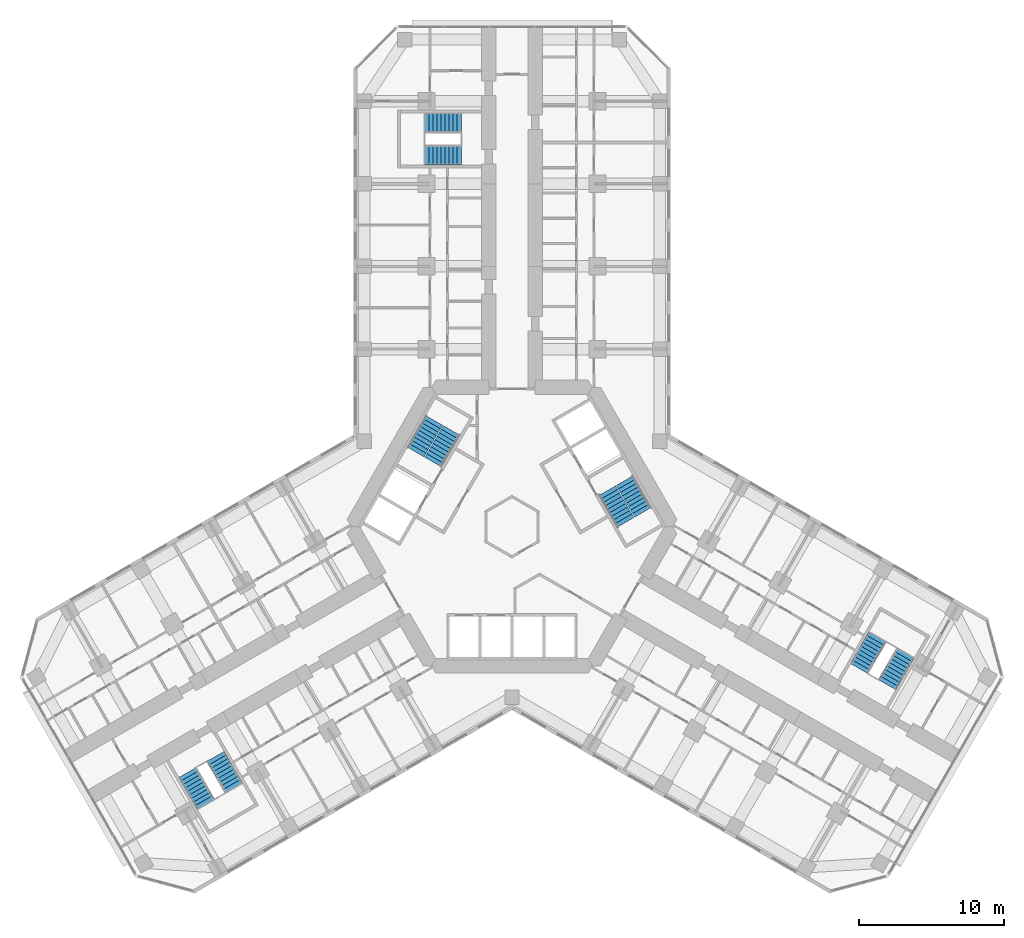
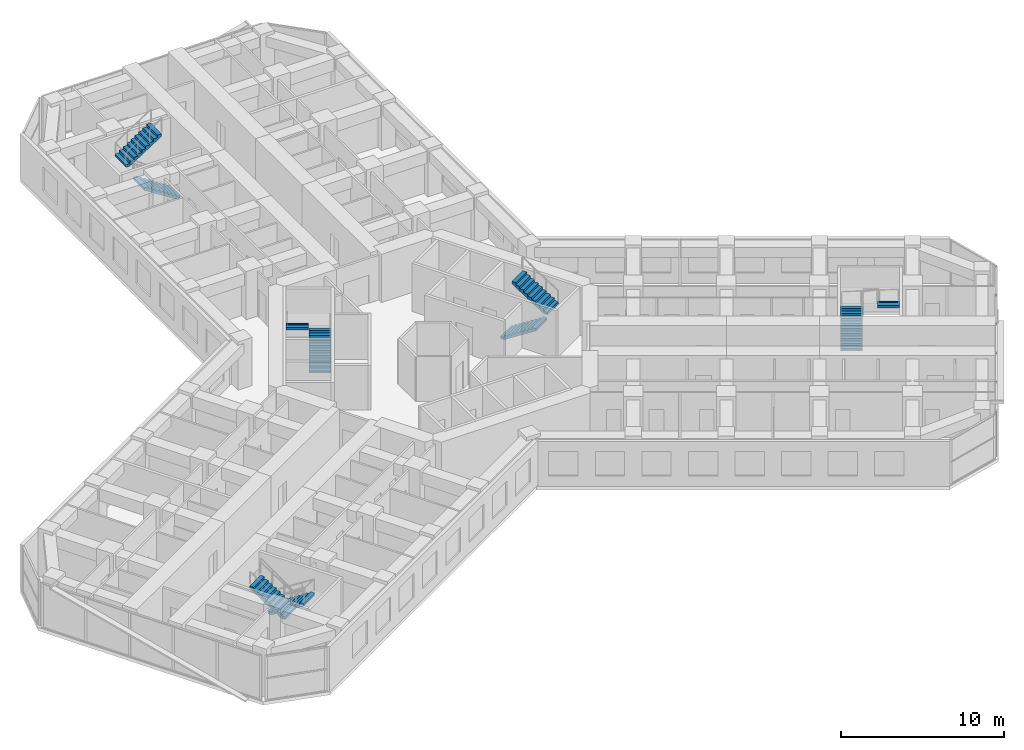
# One storey, part 20 of 21: 10 stair flights, 5 elements without a shape of their own.
"""IFC4 building model written with IfcOpenShell, lengths in metres."""

from ifc_helpers import new_model, si_unit, direction, frame, origin, place, context, subcontext, project, spatial, polyline, outline, extrude, material, type_object, element, aggregate, save


model = new_model("IFC4")

# Units and contexts
model_context = context("Model", 3, precision=1e-05, world=origin(), true_north=direction((0.0, 1.0)))
body_context = subcontext(model_context, "Body", "Model", "MODEL_VIEW")
ifc_project = project(units=[si_unit("LENGTHUNIT", "METRE"), si_unit("AREAUNIT", "SQUARE_METRE"), si_unit("VOLUMEUNIT", "CUBIC_METRE"), si_unit("PLANEANGLEUNIT", "RADIAN"), si_unit("MASSUNIT", "GRAM", prefix="KILO")], contexts=[model_context])

# Site, building, storey
site_placement = place(None, origin())
site = spatial("IfcSite", under=ifc_project, at=site_placement, CompositionType="ELEMENT")
building_placement = place(site_placement, origin())
building = spatial("IfcBuilding", under=site, at=building_placement, Name="Kosmar Iwan School Tower", CompositionType="ELEMENT")
storey_placement = place(building_placement, frame((0.0, 0.0, 71.800048828125)))
storey = spatial("IfcBuildingStorey", under=building, at=storey_placement, Name="L17", CompositionType="ELEMENT", Elevation=71.800048828125)

# Stair, stair flights
ifc_material_1 = material(Name="Concrete C35/45", Category="concrete")
stair_type_1 = type_object("IfcStairType", Name="Escape stair 3600", PredefinedType="HALF_TURN_STAIR", material=ifc_material_1)
stair_1_placement = place(storey_placement, origin())
stair_1 = element("IfcStair", 1, at=stair_1_placement, inside=storey, type_object=stair_type_1, Name="Stair WS1 L17", PredefinedType="HALF_TURN_STAIR")
ifc_material_2 = material(Name="Concrete C35/45", Category="concrete")
stair_flight_type_1 = type_object("IfcStairFlightType", Name="Escape stair flight 1350", PredefinedType="STRAIGHT", material=ifc_material_2)
stair_flight_1_placement = place(storey_placement, frame((-3.5, 25.625, 0.0), z_axis=(0.0, 0.0, 1.0), x_axis=(-1.0, 0.0, 0.0)))
stair_flight_1 = element("IfcStairFlight", 2, at=stair_flight_1_placement, type_object=stair_flight_type_1, Name="WS1 flight 1", NumberOfRisers=10, NumberOfTreads=9, PredefinedType="STRAIGHT", RiserHeight=0.18, TreadLength=0.28, context=body_context, shape_type="SweptSolid", body=[
    extrude(outline(polyline([(0.0, 0.0), (0.0, 0.179931640625), (0.280029296875, 0.179931640625), (0.280029296875, 0.360107421875), (0.56005859375, 0.360107421875), (0.56005859375, 0.5400390625), (0.840087890625, 0.5400390625), (0.840087890625, 0.719970703125), (1.1201171875, 0.719970703125), (1.1201171875, 0.89990234375), (1.39990234375, 0.89990234375), (1.39990234375, 1.080078125), (1.679931640625, 1.080078125), (1.679931640625, 1.260009765625), (1.9599609375, 1.260009765625), (1.9599609375, 1.43994140625), (2.239990234375, 1.43994140625), (2.239990234375, 1.6201171875), (2.52001953125, 1.6201171875), (2.52001953125, 1.800048828125), (2.52001953125, 1.44189453125), (0.277099609375, 0.0), (0.0, 0.0)])), frame((0.0, 0.675048828125, 0.0), z_axis=(0.0, -1.0, 0.0), x_axis=(1.0, 0.0, 0.0)), (0.0, 0.0, 1.0), 1.35009765625),
])
stair_flight_2_placement = place(storey_placement, frame((-6.02001953125, 27.875, 1.800048828125), z_axis=(0.0, 0.0, 1.0), x_axis=(1.0, 0.0, 0.0)))
stair_flight_2 = element("IfcStairFlight", 3, at=stair_flight_2_placement, type_object=stair_flight_type_1, Name="WS1 flight 2", NumberOfRisers=10, NumberOfTreads=9, PredefinedType="STRAIGHT", RiserHeight=0.18, TreadLength=0.28, context=body_context, shape_type="SweptSolid", body=[
    extrude(outline(polyline([(0.0, 0.0), (0.0, 0.179931640625), (0.280029296875, 0.179931640625), (0.280029296875, 0.360107421875), (0.56005859375, 0.360107421875), (0.56005859375, 0.5400390625), (0.840087890625, 0.5400390625), (0.840087890625, 0.719970703125), (1.1201171875, 0.719970703125), (1.1201171875, 0.89990234375), (1.39990234375, 0.89990234375), (1.39990234375, 1.080078125), (1.679931640625, 1.080078125), (1.679931640625, 1.260009765625), (1.9599609375, 1.260009765625), (1.9599609375, 1.43994140625), (2.239990234375, 1.43994140625), (2.239990234375, 1.6201171875), (2.52001953125, 1.6201171875), (2.52001953125, 1.800048828125), (2.52001953125, 1.44189453125), (0.277099609375, 0.0), (0.0, 0.0)])), frame((0.0, 0.675048828125, 0.0), z_axis=(0.0, -1.0, 0.0), x_axis=(1.0, 0.0, 0.0)), (0.0, 0.0, 1.0), 1.35009765625),
])
aggregate(stair_1, [stair_flight_1, stair_flight_2])

stair_2_placement = place(storey_placement, origin())
stair_2 = element("IfcStair", 4, at=stair_2_placement, inside=storey, type_object=stair_type_1, Name="Stair WS2 L17", PredefinedType="HALF_TURN_STAIR")
stair_flight_3_placement = place(storey_placement, frame((-20.44189453125, -15.843505859375, 0.0), z_axis=(0.0, 0.0, 1.0), x_axis=(0.5, -0.866025403784, 0.0)))
stair_flight_3 = element("IfcStairFlight", 5, at=stair_flight_3_placement, type_object=stair_flight_type_1, Name="WS2 flight 1", NumberOfRisers=10, NumberOfTreads=9, PredefinedType="STRAIGHT", RiserHeight=0.18, TreadLength=0.28, context=body_context, shape_type="SweptSolid", body=[
    extrude(outline(polyline([(0.0, 0.0), (0.0, 0.179931640625), (0.280029296875, 0.179931640625), (0.280029296875, 0.360107421875), (0.56005859375, 0.360107421875), (0.56005859375, 0.5400390625), (0.840087890625, 0.5400390625), (0.840087890625, 0.719970703125), (1.1201171875, 0.719970703125), (1.1201171875, 0.89990234375), (1.39990234375, 0.89990234375), (1.39990234375, 1.080078125), (1.679931640625, 1.080078125), (1.679931640625, 1.260009765625), (1.9599609375, 1.260009765625), (1.9599609375, 1.43994140625), (2.239990234375, 1.43994140625), (2.239990234375, 1.6201171875), (2.52001953125, 1.6201171875), (2.52001953125, 1.800048828125), (2.52001953125, 1.44189453125), (0.277099609375, 0.0), (0.0, 0.0)])), frame((0.0, 0.675048828125, 0.0), z_axis=(0.0, -1.0, 0.0), x_axis=(1.0, 0.0, 0.0)), (0.0, 0.0, 1.0), 1.35009765625),
])
stair_flight_4_placement = place(storey_placement, frame((-21.13037109375, -19.15087890625, 1.800048828125), z_axis=(0.0, 0.0, 1.0), x_axis=(-0.5, 0.866025403784, 0.0)))
stair_flight_4 = element("IfcStairFlight", 6, at=stair_flight_4_placement, type_object=stair_flight_type_1, Name="WS2 flight 2", NumberOfRisers=10, NumberOfTreads=9, PredefinedType="STRAIGHT", RiserHeight=0.18, TreadLength=0.28, context=body_context, shape_type="SweptSolid", body=[
    extrude(outline(polyline([(0.0, 0.0), (0.0, 0.179931640625), (0.280029296875, 0.179931640625), (0.280029296875, 0.360107421875), (0.56005859375, 0.360107421875), (0.56005859375, 0.5400390625), (0.840087890625, 0.5400390625), (0.840087890625, 0.719970703125), (1.1201171875, 0.719970703125), (1.1201171875, 0.89990234375), (1.39990234375, 0.89990234375), (1.39990234375, 1.080078125), (1.679931640625, 1.080078125), (1.679931640625, 1.260009765625), (1.9599609375, 1.260009765625), (1.9599609375, 1.43994140625), (2.239990234375, 1.43994140625), (2.239990234375, 1.6201171875), (2.52001953125, 1.6201171875), (2.52001953125, 1.800048828125), (2.52001953125, 1.44189453125), (0.277099609375, 0.0), (0.0, 0.0)])), frame((0.0, 0.675048828125, 0.0), z_axis=(0.0, -1.0, 0.0), x_axis=(1.0, 0.0, 0.0)), (0.0, 0.0, 1.0), 1.35009765625),
])
aggregate(stair_2, [stair_flight_3, stair_flight_4])

stair_3_placement = place(storey_placement, origin())
stair_3 = element("IfcStair", 7, at=stair_3_placement, inside=storey, type_object=stair_type_1, Name="Stair WS3 L17", PredefinedType="HALF_TURN_STAIR")
stair_flight_5_placement = place(storey_placement, frame((23.94189453125, -9.781494140625, 0.0), z_axis=(0.0, 0.0, 1.0), x_axis=(0.5, 0.866025403784, 0.0)))
stair_flight_5 = element("IfcStairFlight", 8, at=stair_flight_5_placement, type_object=stair_flight_type_1, Name="WS3 flight 1", NumberOfRisers=10, NumberOfTreads=9, PredefinedType="STRAIGHT", RiserHeight=0.18, TreadLength=0.28, context=body_context, shape_type="SweptSolid", body=[
    extrude(outline(polyline([(0.0, 0.0), (0.0, 0.179931640625), (0.280029296875, 0.179931640625), (0.280029296875, 0.360107421875), (0.56005859375, 0.360107421875), (0.56005859375, 0.5400390625), (0.840087890625, 0.5400390625), (0.840087890625, 0.719970703125), (1.1201171875, 0.719970703125), (1.1201171875, 0.89990234375), (1.39990234375, 0.89990234375), (1.39990234375, 1.080078125), (1.679931640625, 1.080078125), (1.679931640625, 1.260009765625), (1.9599609375, 1.260009765625), (1.9599609375, 1.43994140625), (2.239990234375, 1.43994140625), (2.239990234375, 1.6201171875), (2.52001953125, 1.6201171875), (2.52001953125, 1.800048828125), (2.52001953125, 1.44189453125), (0.277099609375, 0.0), (0.0, 0.0)])), frame((0.0, 0.675048828125, 0.0), z_axis=(0.0, -1.0, 0.0), x_axis=(1.0, 0.0, 0.0)), (0.0, 0.0, 1.0), 1.35009765625),
])
stair_flight_6_placement = place(storey_placement, frame((27.150390625, -8.72412109375, 1.800048828125), z_axis=(0.0, 0.0, 1.0), x_axis=(-0.5, -0.866025403784, 0.0)))
stair_flight_6 = element("IfcStairFlight", 9, at=stair_flight_6_placement, type_object=stair_flight_type_1, Name="WS3 flight 2", NumberOfRisers=10, NumberOfTreads=9, PredefinedType="STRAIGHT", RiserHeight=0.18, TreadLength=0.28, context=body_context, shape_type="SweptSolid", body=[
    extrude(outline(polyline([(0.0, 0.0), (0.0, 0.179931640625), (0.280029296875, 0.179931640625), (0.280029296875, 0.360107421875), (0.56005859375, 0.360107421875), (0.56005859375, 0.5400390625), (0.840087890625, 0.5400390625), (0.840087890625, 0.719970703125), (1.1201171875, 0.719970703125), (1.1201171875, 0.89990234375), (1.39990234375, 0.89990234375), (1.39990234375, 1.080078125), (1.679931640625, 1.080078125), (1.679931640625, 1.260009765625), (1.9599609375, 1.260009765625), (1.9599609375, 1.43994140625), (2.239990234375, 1.43994140625), (2.239990234375, 1.6201171875), (2.52001953125, 1.6201171875), (2.52001953125, 1.800048828125), (2.52001953125, 1.44189453125), (0.277099609375, 0.0), (0.0, 0.0)])), frame((0.0, 0.675048828125, 0.0), z_axis=(0.0, -1.0, 0.0), x_axis=(1.0, 0.0, 0.0)), (0.0, 0.0, 1.0), 1.35009765625),
])
aggregate(stair_3, [stair_flight_5, stair_flight_6])

ifc_material_3 = material(Name="Concrete C35/45", Category="concrete")
stair_type_2 = type_object("IfcStairType", Name="Core stair 2750", PredefinedType="HALF_TURN_STAIR", material=ifc_material_3)
stair_4_placement = place(storey_placement, origin())
stair_4 = element("IfcStair", 10, at=stair_4_placement, inside=storey, type_object=stair_type_2, Name="Stair ST2 L17", PredefinedType="HALF_TURN_STAIR")
ifc_material_4 = material(Name="Concrete C35/45", Category="concrete")
stair_flight_type_2 = type_object("IfcStairFlightType", Name="Stair flight 1350", PredefinedType="STRAIGHT", material=ifc_material_4)
stair_flight_7_placement = place(storey_placement, frame((-5.42724609375, 4.44970703125, 0.0), z_axis=(0.0, 0.0, 1.0), x_axis=(0.5, 0.866025403784, 0.0)))
stair_flight_7 = element("IfcStairFlight", 11, at=stair_flight_7_placement, type_object=stair_flight_type_2, Name="ST2 flight 1", NumberOfRisers=10, NumberOfTreads=9, PredefinedType="STRAIGHT", RiserHeight=0.18, TreadLength=0.28, context=body_context, shape_type="SweptSolid", body=[
    extrude(outline(polyline([(0.0, 0.0), (0.0, 0.179931640625), (0.280029296875, 0.179931640625), (0.280029296875, 0.360107421875), (0.56005859375, 0.360107421875), (0.56005859375, 0.5400390625), (0.840087890625, 0.5400390625), (0.840087890625, 0.719970703125), (1.1201171875, 0.719970703125), (1.1201171875, 0.89990234375), (1.39990234375, 0.89990234375), (1.39990234375, 1.080078125), (1.679931640625, 1.080078125), (1.679931640625, 1.260009765625), (1.9599609375, 1.260009765625), (1.9599609375, 1.43994140625), (2.239990234375, 1.43994140625), (2.239990234375, 1.6201171875), (2.52001953125, 1.6201171875), (2.52001953125, 1.800048828125), (2.52001953125, 1.44189453125), (0.277099609375, 0.0), (0.0, 0.0)])), frame((0.0, 0.675048828125, 0.0), z_axis=(0.0, -1.0, 0.0), x_axis=(1.0, 0.0, 0.0)), (0.0, 0.0, 1.0), 1.35009765625),
])
stair_flight_8_placement = place(storey_placement, frame((-5.379638671875, 7.33203125, 1.800048828125), z_axis=(0.0, 0.0, 1.0), x_axis=(-0.5, -0.866025403784, 0.0)))
stair_flight_8 = element("IfcStairFlight", 12, at=stair_flight_8_placement, type_object=stair_flight_type_2, Name="ST2 flight 2", NumberOfRisers=10, NumberOfTreads=9, PredefinedType="STRAIGHT", RiserHeight=0.18, TreadLength=0.28, context=body_context, shape_type="SweptSolid", body=[
    extrude(outline(polyline([(0.0, 0.0), (0.0, 0.179931640625), (0.280029296875, 0.179931640625), (0.280029296875, 0.360107421875), (0.56005859375, 0.360107421875), (0.56005859375, 0.5400390625), (0.840087890625, 0.5400390625), (0.840087890625, 0.719970703125), (1.1201171875, 0.719970703125), (1.1201171875, 0.89990234375), (1.39990234375, 0.89990234375), (1.39990234375, 1.080078125), (1.679931640625, 1.080078125), (1.679931640625, 1.260009765625), (1.9599609375, 1.260009765625), (1.9599609375, 1.43994140625), (2.239990234375, 1.43994140625), (2.239990234375, 1.6201171875), (2.52001953125, 1.6201171875), (2.52001953125, 1.800048828125), (2.52001953125, 1.44189453125), (0.277099609375, 0.0), (0.0, 0.0)])), frame((0.0, 0.675048828125, 0.0), z_axis=(0.0, -1.0, 0.0), x_axis=(1.0, 0.0, 0.0)), (0.0, 0.0, 1.0), 1.35009765625),
])
aggregate(stair_4, [stair_flight_7, stair_flight_8])

stair_5_placement = place(storey_placement, origin())
stair_5 = element("IfcStair", 13, at=stair_5_placement, inside=storey, type_object=stair_type_2, Name="Stair ST1 L17", PredefinedType="HALF_TURN_STAIR")
stair_flight_9_placement = place(storey_placement, frame((6.567138671875, 2.475341796875, 0.0), z_axis=(0.0, 0.0, 1.0), x_axis=(0.5, -0.866025403784, 0.0)))
stair_flight_9 = element("IfcStairFlight", 14, at=stair_flight_9_placement, type_object=stair_flight_type_2, Name="ST1 flight 1", NumberOfRisers=10, NumberOfTreads=9, PredefinedType="STRAIGHT", RiserHeight=0.18, TreadLength=0.28, context=body_context, shape_type="SweptSolid", body=[
    extrude(outline(polyline([(0.0, 0.0), (0.0, 0.179931640625), (0.280029296875, 0.179931640625), (0.280029296875, 0.360107421875), (0.56005859375, 0.360107421875), (0.56005859375, 0.5400390625), (0.840087890625, 0.5400390625), (0.840087890625, 0.719970703125), (1.1201171875, 0.719970703125), (1.1201171875, 0.89990234375), (1.39990234375, 0.89990234375), (1.39990234375, 1.080078125), (1.679931640625, 1.080078125), (1.679931640625, 1.260009765625), (1.9599609375, 1.260009765625), (1.9599609375, 1.43994140625), (2.239990234375, 1.43994140625), (2.239990234375, 1.6201171875), (2.52001953125, 1.6201171875), (2.52001953125, 1.800048828125), (2.52001953125, 1.44189453125), (0.277099609375, 0.0), (0.0, 0.0)])), frame((0.0, 0.675048828125, 0.0), z_axis=(0.0, -1.0, 0.0), x_axis=(1.0, 0.0, 0.0)), (0.0, 0.0, 1.0), 1.35009765625),
])
stair_flight_10_placement = place(storey_placement, frame((9.03955078125, 0.992919921875, 1.800048828125), z_axis=(0.0, 0.0, 1.0), x_axis=(-0.5, 0.866025403784, 0.0)))
stair_flight_10 = element("IfcStairFlight", 15, at=stair_flight_10_placement, type_object=stair_flight_type_2, Name="ST1 flight 2", NumberOfRisers=10, NumberOfTreads=9, PredefinedType="STRAIGHT", RiserHeight=0.18, TreadLength=0.28, context=body_context, shape_type="SweptSolid", body=[
    extrude(outline(polyline([(0.0, 0.0), (0.0, 0.179931640625), (0.280029296875, 0.179931640625), (0.280029296875, 0.360107421875), (0.56005859375, 0.360107421875), (0.56005859375, 0.5400390625), (0.840087890625, 0.5400390625), (0.840087890625, 0.719970703125), (1.1201171875, 0.719970703125), (1.1201171875, 0.89990234375), (1.39990234375, 0.89990234375), (1.39990234375, 1.080078125), (1.679931640625, 1.080078125), (1.679931640625, 1.260009765625), (1.9599609375, 1.260009765625), (1.9599609375, 1.43994140625), (2.239990234375, 1.43994140625), (2.239990234375, 1.6201171875), (2.52001953125, 1.6201171875), (2.52001953125, 1.800048828125), (2.52001953125, 1.44189453125), (0.277099609375, 0.0), (0.0, 0.0)])), frame((0.0, 0.675048828125, 0.0), z_axis=(0.0, -1.0, 0.0), x_axis=(1.0, 0.0, 0.0)), (0.0, 0.0, 1.0), 1.35009765625),
])
aggregate(stair_5, [stair_flight_9, stair_flight_10])

save(model, "model.ifc")
